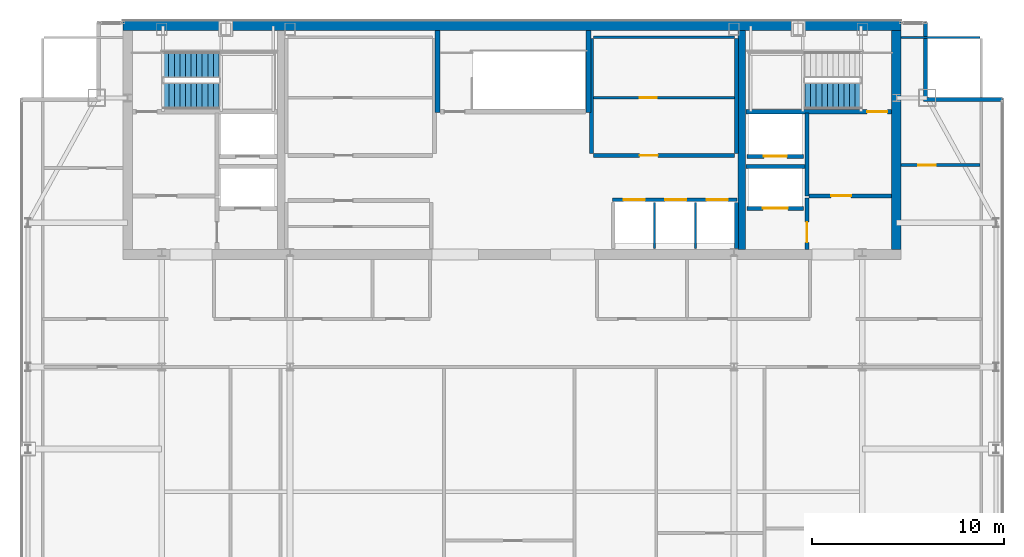
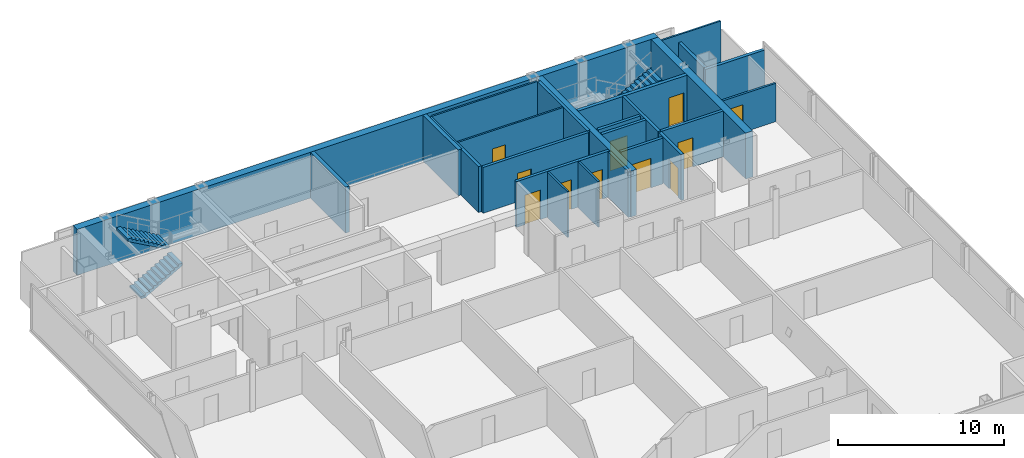
# One storey, part 21 of 24: 25 walls, 11 doors, 3 stair flights, 11 openings, 2 elements without a shape of their own.
"""IFC4 building model written with IfcOpenShell, lengths in metres."""

from ifc_helpers import new_model, si_unit, direction, frame, frame_2d, origin, place, context, subcontext, project, spatial, polyline, rectangle, outline, extrude, material, layer, layer_set, type_object, element, fill, aggregate, save


model = new_model("IFC4")

# Units and contexts
model_context = context("Model", 3, precision=1e-05, world=origin(), true_north=direction((0.0, 1.0)))
body_context = subcontext(model_context, "Body", "Model", "MODEL_VIEW")
ifc_project = project(units=[si_unit("LENGTHUNIT", "METRE"), si_unit("AREAUNIT", "SQUARE_METRE"), si_unit("VOLUMEUNIT", "CUBIC_METRE"), si_unit("PLANEANGLEUNIT", "RADIAN"), si_unit("MASSUNIT", "GRAM", prefix="KILO")], contexts=[model_context])

# Site, building, storey
site_placement = place(None, origin())
site = spatial("IfcSite", under=ifc_project, at=site_placement, CompositionType="ELEMENT")
building_placement = place(site_placement, origin())
building = spatial("IfcBuilding", under=site, at=building_placement, Name="Khoronbel Lancet Exchange", CompositionType="ELEMENT")
storey_placement = place(building_placement, frame((0.0, 0.0, 347.0)))
storey = spatial("IfcBuildingStorey", under=building, at=storey_placement, Name="L90", CompositionType="ELEMENT", Elevation=347.0)

# Walls
ifc_material_1 = material(Name="Concrete C60/75", Category="concrete")
ifc_layer_1 = layer(ifc_material_1, 0.5, Name="Concrete C60/75")
ifc_layer_set_1 = layer_set([ifc_layer_1], Name="Concrete C60/75")
wall_type_1 = type_object("IfcWallType", Name="WL-CW4", PredefinedType="SHEAR", material=ifc_layer_set_1)
wall_1_placement = place(storey_placement, frame((16.199951171875, 53.449951171875, 0.0), z_axis=(0.0, 0.0, 1.0), x_axis=(1.0, 0.0, 0.0)))
element("IfcWall", 1, at=wall_1_placement, inside=storey, type_object=wall_type_1, Name="Level L90 rear core north shear wall", PredefinedType="SHEAR", context=body_context, shape_type="SweptSolid", body=[
    extrude(rectangle(XDim=40.5, YDim=0.5, at=frame_2d((20.25, 0.0))), origin(), (0.0, 0.0, 1.0), 3.3798828125),
])
wall_2_placement = place(storey_placement, frame((56.449951171875, 53.199951171875, 0.0), z_axis=(0.0, 0.0, 1.0), x_axis=(0.0, -1.0, 0.0)))
element("IfcWall", 2, at=wall_2_placement, inside=storey, type_object=wall_type_1, Name="Level L90 rear core east shear wall", PredefinedType="SHEAR", context=body_context, shape_type="SweptSolid", body=[
    extrude(rectangle(XDim=11.39990234375, YDim=0.5, at=frame_2d((5.699951171875, 0.0))), origin(), (0.0, 0.0, 1.0), 3.3798828125),
])
ifc_material_2 = material(Name="Precast concrete C40/50", Category="concrete")
ifc_layer_2 = layer(ifc_material_2, 0.25, Name="Precast concrete C40/50")
ifc_layer_set_2 = layer_set([ifc_layer_2], Name="Precast concrete C40/50")
wall_type_2 = type_object("IfcWallType", Name="WL-EXT250", PredefinedType="SOLIDWALL", material=ifc_layer_set_2)
wall_3_placement = place(storey_placement, frame((57.9599609375, 53.6298828125, 0.0), z_axis=(0.0, 0.0, 1.0), x_axis=(0.0, -1.0, 0.0)))
element("IfcWall", 3, at=wall_3_placement, inside=storey, type_object=wall_type_2, Name="Level L90 notched-corner limestone pier 07", PredefinedType="SOLIDWALL", context=body_context, shape_type="SweptSolid", body=[
    extrude(rectangle(XDim=3.909912109375, YDim=0.219970703125, at=frame_2d((1.955078125, 0.0))), origin(), (0.0, 0.0, 1.0), 2.820068359375),
])
wall_4_placement = place(storey_placement, frame((57.85009765625, 49.610107421875, 0.0), z_axis=(0.0, 0.0, 1.0), x_axis=(1.0, 0.0, 0.0)))
element("IfcWall", 4, at=wall_4_placement, inside=storey, type_object=wall_type_2, Name="Level L90 notched-corner limestone pier 08", PredefinedType="SOLIDWALL", context=body_context, shape_type="SweptSolid", body=[
    extrude(rectangle(XDim=4.1298828125, YDim=0.219970703125, at=frame_2d((2.06494140625, 0.0))), origin(), (0.0, 0.0, 1.0), 2.820068359375),
])

# Wall, opening, door
ifc_material_3 = material(Name="Acoustic Metal-Stud & Mineral-Wool Gypsum Partition 120 mm", Category="gypsum")
ifc_layer_3 = layer(ifc_material_3, 0.1201171875, Name="Acoustic Metal-Stud & Mineral-Wool Gypsum Partition 120 mm")
ifc_layer_set_3 = layer_set([ifc_layer_3], Name="Acoustic Metal-Stud & Mineral-Wool Gypsum Partition 120 mm")
wall_type_3 = type_object("IfcWallType", Name="WL-PRT120", PredefinedType="PARTITIONING", material=ifc_layer_set_3)
wall_5_placement = place(storey_placement, frame((56.699951171875, 46.199951171875, 0.0), z_axis=(0.0, 0.0, 1.0), x_axis=(1.0, 0.0, 0.0)))
wall_5 = element("IfcWall", 5, at=wall_5_placement, inside=storey, type_object=wall_type_3, Name="Level L90 interior partition PW-NE-H", PredefinedType="PARTITIONING", context=body_context, shape_type="SweptSolid", body=[
    extrude(rectangle(XDim=4.10498046875, YDim=0.14990234375, at=frame_2d((2.052490234375, 0.0))), origin(), (0.0, 0.0, 1.0), 2.820068359375),
])
opening_1_placement = place(wall_5_placement, frame((0.89990234375, 0.0, 0.0)))
opening_1 = element("IfcOpeningElement", 6, at=opening_1_placement, cuts=wall_5, Name="Opening D5", PredefinedType="OPENING", context=body_context, shape_type="SweptSolid", body=[
    extrude(rectangle(XDim=0.89990234375, YDim=2.050048828125, at=frame_2d((0.449951171875, 1.02490234375))), frame((0.0, 0.0849609375, 0.0), z_axis=(0.0, -1.0, 0.0), x_axis=(1.0, 0.0, 0.0)), (0.0, 0.0, 1.0), 0.169921875),
])
ifc_material_4 = material(Name="Acoustic Timber Pantry & Support Door", Category="wood")
door_type_1 = type_object("IfcDoorType", Name="DR-D5", OperationType="NOTDEFINED", PredefinedType="DOOR", material=ifc_material_4)
door_1_placement = place(opening_1_placement, origin())
door_1 = element("IfcDoor", 7, at=door_1_placement, inside=storey, type_object=door_type_1, Name="NE north room door L90-1", OperationType="SINGLE_SWING_RIGHT", OverallHeight=2.050048828125, OverallWidth=0.89990234375, PredefinedType="DOOR", context=body_context, shape_type="SweptSolid", body=[
    extrude(rectangle(XDim=0.89990234375, YDim=2.050048828125, at=frame_2d((0.449951171875, 1.02490234375))), frame((0.0, 0.02490234375, 0.0), z_axis=(0.0, -1.0, 0.0), x_axis=(1.0, 0.0, 0.0)), (0.0, 0.0, 1.0), 0.050048828125),
])
fill(opening_1, door_1)

# Walls
wall_6_placement = place(storey_placement, frame((56.699951171875, 52.840087890625, 0.0), z_axis=(0.0, 0.0, 1.0), x_axis=(1.0, 0.0, 0.0)))
element("IfcWall", 8, at=wall_6_placement, inside=storey, type_object=wall_type_3, Name="Level L90 interior partition PW-LIN-NE", PredefinedType="PARTITIONING", context=body_context, shape_type="SweptSolid", body=[
    extrude(rectangle(XDim=4.10498046875, YDim=0.1201171875, at=frame_2d((2.052490234375, 0.0))), origin(), (0.0, 0.0, 1.0), 3.3798828125),
])
ifc_material_5 = material(Name="Fire-Rated Metal-Stud & Mineral-Wool Gypsum Partition 120 mm", Category="gypsum")
ifc_layer_4 = layer(ifc_material_5, 0.1201171875, Name="Fire-Rated Metal-Stud & Mineral-Wool Gypsum Partition 120 mm")
ifc_layer_set_4 = layer_set([ifc_layer_4], Name="Fire-Rated Metal-Stud & Mineral-Wool Gypsum Partition 120 mm")
wall_type_4 = type_object("IfcWallType", Name="WL-PRT120F", PredefinedType="PARTITIONING", material=ifc_layer_set_4)
wall_7_placement = place(storey_placement, frame((40.68505859375, 52.860107421875, 0.0), z_axis=(0.0, 0.0, 1.0), x_axis=(1.0, 0.0, 0.0)))
element("IfcWall", 9, at=wall_7_placement, inside=storey, type_object=wall_type_4, Name="Level L90 interior partition CW-PH-RN", PredefinedType="PARTITIONING", context=body_context, shape_type="SweptSolid", body=[
    extrude(rectangle(XDim=7.349853515625, YDim=0.1201171875, at=frame_2d((3.6748046875, 0.0))), origin(), (0.0, 0.0, 1.0), 3.3798828125),
])

# Wall, opening, door
wall_8_placement = place(storey_placement, frame((40.68505859375, 49.708740234375, 0.0), z_axis=(0.0, 0.0, 1.0), x_axis=(1.0, 0.0, 0.0)))
wall_8 = element("IfcWall", 10, at=wall_8_placement, inside=storey, type_object=wall_type_4, Name="Level L90 interior partition CW-PH-RH", PredefinedType="PARTITIONING", context=body_context, shape_type="SweptSolid", body=[
    extrude(rectangle(XDim=7.349853515625, YDim=0.1201171875, at=frame_2d((3.6748046875, 0.0))), origin(), (0.0, 0.0, 1.0), 3.3798828125),
])
opening_2_placement = place(wall_8_placement, frame((2.39990234375, 0.0, 0.0)))
opening_2 = element("IfcOpeningElement", 11, at=opening_2_placement, cuts=wall_8, Name="Opening FD4", PredefinedType="OPENING", context=body_context, shape_type="SweptSolid", body=[
    extrude(rectangle(XDim=0.89990234375, YDim=2.050048828125, at=frame_2d((0.449951171875, 1.02490234375))), frame((0.0, 0.070068359375, 0.0), z_axis=(0.0, -1.0, 0.0), x_axis=(1.0, 0.0, 0.0)), (0.0, 0.0, 1.0), 0.14013671875),
])
ifc_material_6 = material(Name="Fire-Rated Steel Core Support Door Assembly", Category="steel")
door_type_2 = type_object("IfcDoorType", Name="DR-FD4", OperationType="NOTDEFINED", PredefinedType="DOOR", material=ifc_material_6)
door_2_placement = place(opening_2_placement, origin())
door_2 = element("IfcDoor", 12, at=door_2_placement, inside=storey, type_object=door_type_2, Name="Core PH inner store door L90-1", OperationType="SINGLE_SWING_RIGHT", OverallHeight=2.050048828125, OverallWidth=0.89990234375, PredefinedType="DOOR", context=body_context, shape_type="SweptSolid", body=[
    extrude(rectangle(XDim=0.89990234375, YDim=2.050048828125, at=frame_2d((0.449951171875, 1.02490234375))), frame((0.0, 0.02490234375, 0.0), z_axis=(0.0, -1.0, 0.0), x_axis=(1.0, 0.0, 0.0)), (0.0, 0.0, 1.0), 0.050048828125),
])
fill(opening_2, door_2)

# Walls
for number, where, z_axis, x_axis, name in (
    (13, (43.860107421875, 41.85009765625, 0.0), (0.0, 0.0, 1.0), (0.0, 1.0, 0.0), "Level L90 interior partition CW-PX-D1"),
    (14, (46.0, 41.85009765625, 0.0), (0.0, 0.0, 1.0), (0.0, 1.0, 0.0), "Level L90 interior partition CW-PX-D2"),
):
    element("IfcWall", number, at=place(storey_placement, frame(where, z_axis=z_axis, x_axis=x_axis)), inside=storey, type_object=wall_type_4, Name=name, PredefinedType="PARTITIONING", context=body_context, shape_type="SweptSolid", body=[
        extrude(rectangle(XDim=2.39990234375, YDim=0.1201171875, at=frame_2d((1.199951171875, 0.0))), origin(), (0.0, 0.0, 1.0), 3.3798828125),
    ])

# Wall, openings, doors
ifc_material_7 = material(Name="Autoclaved Aerated Concrete Blockwork 200 mm", Category="masonry")
ifc_layer_5 = layer(ifc_material_7, 0.199951171875, Name="Autoclaved Aerated Concrete Blockwork 200 mm")
ifc_layer_set_5 = layer_set([ifc_layer_5], Name="Autoclaved Aerated Concrete Blockwork 200 mm")
wall_type_5 = type_object("IfcWallType", Name="WL-PRT200", PredefinedType="PARTITIONING", material=ifc_layer_set_5)
wall_9_placement = place(storey_placement, frame((41.679931640625, 44.39990234375, 0.0), z_axis=(0.0, 0.0, 1.0), x_axis=(1.0, 0.0, 0.0)))
wall_9 = element("IfcWall", 15, at=wall_9_placement, inside=storey, type_object=wall_type_5, Name="Level L90 elevator hoistway landing front wall PXE", PredefinedType="PARTITIONING", context=body_context, shape_type="SweptSolid", body=[
    extrude(rectangle(XDim=6.47998046875, YDim=0.199951171875, at=frame_2d((3.239990234375, 0.0))), origin(), (0.0, 0.0, 1.0), 3.3798828125),
])
opening_3_placement = place(wall_9_placement, frame((0.580078125, 0.0, 0.0)))
opening_3 = element("IfcOpeningElement", 16, at=opening_3_placement, cuts=wall_9, Name="Opening LD-PX1", PredefinedType="OPENING", context=body_context, shape_type="SweptSolid", body=[
    extrude(rectangle(XDim=1.10009765625, YDim=2.179931640625, at=frame_2d((0.550048828125, 1.08984375))), frame((0.0, 0.10986328125, 0.0), z_axis=(0.0, -1.0, 0.0), x_axis=(1.0, 0.0, 0.0)), (0.0, 0.0, 1.0), 0.219970703125),
])
opening_4_placement = place(wall_9_placement, frame((2.739990234375, 0.0, 0.0)))
opening_4 = element("IfcOpeningElement", 17, at=opening_4_placement, cuts=wall_9, Name="Opening LD-PX2", PredefinedType="OPENING", context=body_context, shape_type="SweptSolid", body=[
    extrude(rectangle(XDim=1.10009765625, YDim=2.179931640625, at=frame_2d((0.550048828125, 1.08984375))), frame((0.0, 0.10986328125, 0.0), z_axis=(0.0, -1.0, 0.0), x_axis=(1.0, 0.0, 0.0)), (0.0, 0.0, 1.0), 0.219970703125),
])
opening_5_placement = place(wall_9_placement, frame((4.89990234375, 0.0, 0.0)))
opening_5 = element("IfcOpeningElement", 18, at=opening_5_placement, cuts=wall_9, Name="Opening LD-PX3", PredefinedType="OPENING", context=body_context, shape_type="SweptSolid", body=[
    extrude(rectangle(XDim=1.10009765625, YDim=2.179931640625, at=frame_2d((0.550048828125, 1.08984375))), frame((0.0, 0.10986328125, 0.0), z_axis=(0.0, -1.0, 0.0), x_axis=(1.0, 0.0, 0.0)), (0.0, 0.0, 1.0), 0.219970703125),
])
ifc_material_8 = material(Name="Brushed Bronze Bi-Parting Elevator Landing Door", Category="steel")
door_type_3 = type_object("IfcDoorType", Name="DR-LD-PAX", OperationType="NOTDEFINED", PredefinedType="DOOR", material=ifc_material_8)
door_3_placement = place(opening_3_placement, origin())
door_3 = element("IfcDoor", 19, at=door_3_placement, inside=storey, type_object=door_type_3, Name="Elevator landing sliding door LD-PX1 L90", OperationType="SLIDING_TO_LEFT", OverallHeight=2.179931640625, OverallWidth=1.10009765625, PredefinedType="DOOR", context=body_context, shape_type="SweptSolid", body=[
    extrude(rectangle(XDim=1.10009765625, YDim=2.179931640625, at=frame_2d((0.550048828125, 1.08984375))), frame((0.0, 0.02490234375, 0.0), z_axis=(0.0, -1.0, 0.0), x_axis=(1.0, 0.0, 0.0)), (0.0, 0.0, 1.0), 0.050048828125),
])
fill(opening_3, door_3)
door_4_placement = place(opening_4_placement, origin())
door_4 = element("IfcDoor", 20, at=door_4_placement, inside=storey, type_object=door_type_3, Name="Elevator landing sliding door LD-PX2 L90", OperationType="SLIDING_TO_LEFT", OverallHeight=2.179931640625, OverallWidth=1.10009765625, PredefinedType="DOOR", context=body_context, shape_type="SweptSolid", body=[
    extrude(rectangle(XDim=1.10009765625, YDim=2.179931640625, at=frame_2d((0.550048828125, 1.08984375))), frame((0.0, 0.02490234375, 0.0), z_axis=(0.0, -1.0, 0.0), x_axis=(1.0, 0.0, 0.0)), (0.0, 0.0, 1.0), 0.050048828125),
])
fill(opening_4, door_4)
door_5_placement = place(opening_5_placement, origin())
door_5 = element("IfcDoor", 21, at=door_5_placement, inside=storey, type_object=door_type_3, Name="Elevator landing sliding door LD-PX3 L90", OperationType="SLIDING_TO_LEFT", OverallHeight=2.179931640625, OverallWidth=1.10009765625, PredefinedType="DOOR", context=body_context, shape_type="SweptSolid", body=[
    extrude(rectangle(XDim=1.10009765625, YDim=2.179931640625, at=frame_2d((0.550048828125, 1.08984375))), frame((0.0, 0.02490234375, 0.0), z_axis=(0.0, -1.0, 0.0), x_axis=(1.0, 0.0, 0.0)), (0.0, 0.0, 1.0), 0.050048828125),
])
fill(opening_5, door_5)

# Wall, opening, door
wall_10_placement = place(storey_placement, frame((51.610107421875, 43.949951171875, 0.0), z_axis=(0.0, 0.0, 1.0), x_axis=(-1.0, 0.0, 0.0)))
wall_10 = element("IfcWall", 22, at=wall_10_placement, inside=storey, type_object=wall_type_5, Name="Level L90 elevator hoistway landing front wall SVLE", PredefinedType="PARTITIONING", context=body_context, shape_type="SweptSolid", body=[
    extrude(rectangle(XDim=2.920166015625, YDim=0.199951171875, at=frame_2d((1.4599609375, 0.0))), origin(), (0.0, 0.0, 1.0), 3.3798828125),
])
opening_6_placement = place(wall_10_placement, frame((0.81005859375, 0.0, 0.0)))
opening_6 = element("IfcOpeningElement", 23, at=opening_6_placement, cuts=wall_10, Name="Opening LD-SVL2", PredefinedType="OPENING", context=body_context, shape_type="SweptSolid", body=[
    extrude(rectangle(XDim=1.300048828125, YDim=2.179931640625, at=frame_2d((0.64990234375, 1.08984375))), frame((0.0, 0.10986328125, 0.0), z_axis=(0.0, -1.0, 0.0), x_axis=(1.0, 0.0, 0.0)), (0.0, 0.0, 1.0), 0.219970703125),
])
ifc_material_9 = material(Name="Heavy-Duty Bi-Parting Goods Lift Landing Door", Category="steel")
door_type_4 = type_object("IfcDoorType", Name="DR-LD-SVL", OperationType="NOTDEFINED", PredefinedType="DOOR", material=ifc_material_9)
door_6_placement = place(opening_6_placement, origin())
door_6 = element("IfcDoor", 24, at=door_6_placement, inside=storey, type_object=door_type_4, Name="Elevator landing sliding door LD-SVL2 L90", OperationType="SLIDING_TO_LEFT", OverallHeight=2.179931640625, OverallWidth=1.300048828125, PredefinedType="DOOR", context=body_context, shape_type="SweptSolid", body=[
    extrude(rectangle(XDim=1.300048828125, YDim=2.179931640625, at=frame_2d((0.64990234375, 1.08984375))), frame((0.0, 0.02490234375, 0.0), z_axis=(0.0, -1.0, 0.0), x_axis=(1.0, 0.0, 0.0)), (0.0, 0.0, 1.0), 0.050048828125),
])
fill(opening_6, door_6)

wall_11_placement = place(storey_placement, frame((51.610107421875, 46.64990234375, 0.0), z_axis=(0.0, 0.0, 1.0), x_axis=(-1.0, 0.0, 0.0)))
wall_11 = element("IfcWall", 25, at=wall_11_placement, inside=storey, type_object=wall_type_5, Name="Level L90 elevator hoistway landing front wall FFLE", PredefinedType="PARTITIONING", context=body_context, shape_type="SweptSolid", body=[
    extrude(rectangle(XDim=2.920166015625, YDim=0.199951171875, at=frame_2d((1.4599609375, 0.0))), origin(), (0.0, 0.0, 1.0), 3.3798828125),
])
opening_7_placement = place(wall_11_placement, frame((0.860107421875, 0.0, 0.0)))
opening_7 = element("IfcOpeningElement", 26, at=opening_7_placement, cuts=wall_11, Name="Opening LD-FFL2", PredefinedType="OPENING", context=body_context, shape_type="SweptSolid", body=[
    extrude(rectangle(XDim=1.199951171875, YDim=2.179931640625, at=frame_2d((0.60009765625, 1.08984375))), frame((0.0, 0.10986328125, 0.0), z_axis=(0.0, -1.0, 0.0), x_axis=(1.0, 0.0, 0.0)), (0.0, 0.0, 1.0), 0.219970703125),
])
ifc_material_10 = material(Name="Fire-Rated Stainless Bi-Parting Firefighting Lift Door", Category="steel")
door_type_5 = type_object("IfcDoorType", Name="DR-LD-FFL", OperationType="NOTDEFINED", PredefinedType="DOOR", material=ifc_material_10)
door_7_placement = place(opening_7_placement, origin())
door_7 = element("IfcDoor", 27, at=door_7_placement, inside=storey, type_object=door_type_5, Name="Elevator landing sliding door LD-FFL2 L90", OperationType="SLIDING_TO_LEFT", OverallHeight=2.179931640625, OverallWidth=1.199951171875, PredefinedType="DOOR", context=body_context, shape_type="SweptSolid", body=[
    extrude(rectangle(XDim=1.199951171875, YDim=2.179931640625, at=frame_2d((0.60009765625, 1.08984375))), frame((0.0, 0.02490234375, 0.0), z_axis=(0.0, -1.0, 0.0), x_axis=(1.0, 0.0, 0.0)), (0.0, 0.0, 1.0), 0.050048828125),
])
fill(opening_7, door_7)

# Wall
wall_12_placement = place(storey_placement, frame((51.800048828125, 44.60009765625, 0.0), z_axis=(0.0, 0.0, 1.0), x_axis=(0.0, 1.0, 0.0)))
element("IfcWall", 28, at=wall_12_placement, inside=storey, type_object=wall_type_5, Name="Level L90 interior partition CW-FFLE-W", PredefinedType="PARTITIONING", context=body_context, shape_type="SweptSolid", body=[
    extrude(rectangle(XDim=4.2998046875, YDim=0.199951171875, at=frame_2d((2.14990234375, 0.0))), origin(), (0.0, 0.0, 1.0), 3.3798828125),
])

# Wall, opening, door
wall_13_placement = place(storey_placement, frame((51.89990234375, 44.60009765625, 0.0), z_axis=(0.0, 0.0, 1.0), x_axis=(1.0, 0.0, 0.0)))
wall_13 = element("IfcWall", 29, at=wall_13_placement, inside=storey, type_object=wall_type_5, Name="Level L90 interior partition CW-FFLE-S", PredefinedType="PARTITIONING", context=body_context, shape_type="SweptSolid", body=[
    extrude(rectangle(XDim=4.300048828125, YDim=0.199951171875, at=frame_2d((2.14990234375, 0.0))), origin(), (0.0, 0.0, 1.0), 3.3798828125),
])
opening_8_placement = place(wall_13_placement, frame((1.14990234375, 0.0, 0.0)))
opening_8 = element("IfcOpeningElement", 30, at=opening_8_placement, cuts=wall_13, Name="Opening FD1", PredefinedType="OPENING", context=body_context, shape_type="SweptSolid", body=[
    extrude(rectangle(XDim=1.050048828125, YDim=2.14990234375, at=frame_2d((0.52490234375, 1.074951171875))), frame((0.0, 0.10986328125, 0.0), z_axis=(0.0, -1.0, 0.0), x_axis=(1.0, 0.0, 0.0)), (0.0, 0.0, 1.0), 0.219970703125),
])
ifc_material_11 = material(Name="Fire-Rated Painted Steel Door Assembly", Category="steel")
door_type_6 = type_object("IfcDoorType", Name="DR-FD1", OperationType="NOTDEFINED", PredefinedType="DOOR", material=ifc_material_11)
door_8_placement = place(opening_8_placement, origin())
door_8 = element("IfcDoor", 31, at=door_8_placement, inside=storey, type_object=door_type_6, Name="East firefighting lobby FD90S door L90-1", OperationType="SINGLE_SWING_RIGHT", OverallHeight=2.14990234375, OverallWidth=1.050048828125, PredefinedType="DOOR", context=body_context, shape_type="SweptSolid", body=[
    extrude(rectangle(XDim=1.050048828125, YDim=2.14990234375, at=frame_2d((0.52490234375, 1.074951171875))), frame((0.0, 0.02490234375, 0.0), z_axis=(0.0, -1.0, 0.0), x_axis=(1.0, 0.0, 0.0)), (0.0, 0.0, 1.0), 0.050048828125),
])
fill(opening_8, door_8)

# Wall
wall_14_placement = place(storey_placement, frame((48.6298828125, 46.1201171875, 0.0), z_axis=(0.0, 0.0, 1.0), x_axis=(1.0, 0.0, 0.0)))
element("IfcWall", 32, at=wall_14_placement, inside=storey, type_object=wall_type_5, Name="Level L90 interior partition CW-FFL2-S", PredefinedType="PARTITIONING", context=body_context, shape_type="SweptSolid", body=[
    extrude(rectangle(XDim=3.070068359375, YDim=0.199951171875, at=frame_2d((1.53515625, 0.0))), origin(), (0.0, 0.0, 1.0), 3.3798828125),
])

# Wall, opening, door
wall_15_placement = place(storey_placement, frame((51.800048828125, 41.800048828125, 0.0), z_axis=(0.0, 0.0, 1.0), x_axis=(0.0, 1.0, 0.0)))
wall_15 = element("IfcWall", 33, at=wall_15_placement, inside=storey, type_object=wall_type_5, Name="Level L90 interior partition CW-SVLE-E", PredefinedType="PARTITIONING", context=body_context, shape_type="SweptSolid", body=[
    extrude(rectangle(XDim=2.695068359375, YDim=0.199951171875, at=frame_2d((1.34765625, 0.0))), origin(), (0.0, 0.0, 1.0), 3.3798828125),
])
opening_9_placement = place(wall_15_placement, frame((0.3798828125, 0.0, 0.0)))
opening_9 = element("IfcOpeningElement", 34, at=opening_9_placement, cuts=wall_15, Name="Opening FD1", PredefinedType="OPENING", context=body_context, shape_type="SweptSolid", body=[
    extrude(rectangle(XDim=1.050048828125, YDim=2.14990234375, at=frame_2d((0.52490234375, 1.074951171875))), frame((0.0, 0.10986328125, 0.0), z_axis=(0.0, -1.0, 0.0), x_axis=(1.0, 0.0, 0.0)), (0.0, 0.0, 1.0), 0.219970703125),
])
door_9_placement = place(opening_9_placement, origin())
door_9 = element("IfcDoor", 35, at=door_9_placement, inside=storey, type_object=door_type_6, Name="East service lift lobby door L90-1", OperationType="SINGLE_SWING_LEFT", OverallHeight=2.14990234375, OverallWidth=1.050048828125, PredefinedType="DOOR", context=body_context, shape_type="SweptSolid", body=[
    extrude(rectangle(XDim=1.050048828125, YDim=2.14990234375, at=frame_2d((0.52490234375, 1.074951171875))), frame((0.0, 0.02490234375, 0.0), z_axis=(0.0, -1.0, 0.0), x_axis=(1.0, 0.0, 0.0)), (0.0, 0.0, 1.0), 0.050048828125),
])
fill(opening_9, door_9)

# Walls
for number, where, z_axis, x_axis, name in (
    (36, (40.580078125, 46.804931640625, 0.0), (0.0, 0.0, 1.0), (0.0, 1.0, 0.0), "Level L90 interior partition CW-PH-RW"),
    (37, (48.139892578125, 46.804931640625, 0.0), (0.0, 0.0, 1.0), (0.0, 1.0, 0.0), "Level L90 interior partition CW-PH-RE"),
):
    element("IfcWall", number, at=place(storey_placement, frame(where, z_axis=z_axis, x_axis=x_axis)), inside=storey, type_object=wall_type_5, Name=name, PredefinedType="PARTITIONING", context=body_context, shape_type="SweptSolid", body=[
        extrude(rectangle(XDim=5.989990234375, YDim=0.199951171875, at=frame_2d((2.9951171875, 0.0))), origin(), (0.0, 0.0, 1.0), 3.3798828125),
    ])

# Wall, opening, door
wall_16_placement = place(storey_placement, frame((40.68505859375, 46.699951171875, 0.0), z_axis=(0.0, 0.0, 1.0), x_axis=(1.0, 0.0, 0.0)))
wall_16 = element("IfcWall", 38, at=wall_16_placement, inside=storey, type_object=wall_type_5, Name="Level L90 interior partition CW-PH-RF", PredefinedType="PARTITIONING", context=body_context, shape_type="SweptSolid", body=[
    extrude(rectangle(XDim=7.349853515625, YDim=0.199951171875, at=frame_2d((3.6748046875, 0.0))), origin(), (0.0, 0.0, 1.0), 3.3798828125),
])
opening_10_placement = place(wall_16_placement, frame((2.39990234375, 0.0, 0.0)))
opening_10 = element("IfcOpeningElement", 39, at=opening_10_placement, cuts=wall_16, Name="Opening FD3", PredefinedType="OPENING", context=body_context, shape_type="SweptSolid", body=[
    extrude(rectangle(XDim=0.949951171875, YDim=2.10009765625, at=frame_2d((0.47509765625, 1.050048828125))), frame((0.0, 0.10986328125, 0.0), z_axis=(0.0, -1.0, 0.0), x_axis=(1.0, 0.0, 0.0)), (0.0, 0.0, 1.0), 0.219970703125),
])
ifc_material_12 = material(Name="Fire-Rated Steel Plant & Riser Door Assembly", Category="steel")
door_type_7 = type_object("IfcDoorType", Name="DR-FD3", OperationType="NOTDEFINED", PredefinedType="DOOR", material=ifc_material_12)
door_10_placement = place(opening_10_placement, origin())
door_10 = element("IfcDoor", 40, at=door_10_placement, inside=storey, type_object=door_type_7, Name="Core PH merged gallery room door L90-1", OperationType="SINGLE_SWING_LEFT", OverallHeight=2.10009765625, OverallWidth=0.949951171875, PredefinedType="DOOR", context=body_context, shape_type="SweptSolid", body=[
    extrude(rectangle(XDim=0.949951171875, YDim=2.10009765625, at=frame_2d((0.47509765625, 1.050048828125))), frame((0.0, 0.02490234375, 0.0), z_axis=(0.0, -1.0, 0.0), x_axis=(1.0, 0.0, 0.0)), (0.0, 0.0, 1.0), 0.050048828125),
])
fill(opening_10, door_10)

# Walls
wall_17_placement = place(storey_placement, frame((48.139892578125, 41.85009765625, 0.0), z_axis=(0.0, 0.0, 1.0), x_axis=(0.0, 1.0, 0.0)))
element("IfcWall", 41, at=wall_17_placement, inside=storey, type_object=wall_type_5, Name="Level L90 interior partition CW-PX-E", PredefinedType="PARTITIONING", context=body_context, shape_type="SweptSolid", body=[
    extrude(rectangle(XDim=2.39990234375, YDim=0.199951171875, at=frame_2d((1.199951171875, 0.0))), origin(), (0.0, 0.0, 1.0), 3.3798828125),
])
ifc_layer_6 = layer(ifc_material_1, 0.39990234375, Name="Concrete C60/75")
ifc_layer_set_6 = layer_set([ifc_layer_6], Name="Concrete C60/75")
wall_type_6 = type_object("IfcWallType", Name="WL-SW2", PredefinedType="SHEAR", material=ifc_layer_set_6)
wall_18_placement = place(storey_placement, frame((48.39990234375, 41.800048828125, 0.0), z_axis=(0.0, 0.0, 1.0), x_axis=(0.0, 1.0, 0.0)))
element("IfcWall", 42, at=wall_18_placement, inside=storey, type_object=wall_type_6, Name="Level L90 rear core internal spine shear wall IE", PredefinedType="SHEAR", context=body_context, shape_type="SweptSolid", body=[
    extrude(rectangle(XDim=11.39990234375, YDim=0.39990234375, at=frame_2d((5.699951171875, 0.0))), origin(), (0.0, 0.0, 1.0), 3.3798828125),
])
ifc_layer_7 = layer(ifc_material_1, 0.260009765625, Name="Concrete C60/75")
ifc_layer_set_7 = layer_set([ifc_layer_7], Name="Concrete C60/75")
wall_type_7 = type_object("IfcWallType", Name="WL-SW3", PredefinedType="SHEAR", material=ifc_layer_set_7)
for number, where, z_axis, x_axis, name in (
    (43, (32.580078125, 48.949951171875, 0.0), (0.0, 0.0, 1.0), (0.0, 1.0, 0.0), "Level L90 central stairwell structural shear wall ST3W"),
    (44, (40.419921875, 48.949951171875, 0.0), (0.0, 0.0, 1.0), (0.0, 1.0, 0.0), "Level L90 central stairwell structural shear wall ST3E"),
):
    element("IfcWall", number, at=place(storey_placement, frame(where, z_axis=z_axis, x_axis=x_axis)), inside=storey, type_object=wall_type_7, Name=name, PredefinedType="SHEAR", context=body_context, shape_type="SweptSolid", body=[
        extrude(rectangle(XDim=4.25, YDim=0.260009765625, at=frame_2d((2.125, 0.0))), origin(), (0.0, 0.0, 1.0), 3.3798828125),
    ])

# Wall, opening, door
wall_19_placement = place(storey_placement, frame((48.6298828125, 48.97998046875, 0.0), z_axis=(0.0, 0.0, 1.0), x_axis=(1.0, 0.0, 0.0)))
wall_19 = element("IfcWall", 45, at=wall_19_placement, inside=storey, type_object=wall_type_7, Name="Level L90 east stairwell structural south wall", PredefinedType="SHEAR", context=body_context, shape_type="SweptSolid", body=[
    extrude(rectangle(XDim=7.570068359375, YDim=0.239990234375, at=frame_2d((3.78515625, 0.0))), origin(), (0.0, 0.0, 1.0), 3.3798828125),
])
opening_11_placement = place(wall_19_placement, frame((6.300048828125, 0.0, 0.0)))
opening_11 = element("IfcOpeningElement", 46, at=opening_11_placement, cuts=wall_19, Name="Opening SD1", PredefinedType="OPENING", context=body_context, shape_type="SweptSolid", body=[
    extrude(rectangle(XDim=1.050048828125, YDim=2.14990234375, at=frame_2d((0.52490234375, 1.074951171875))), frame((0.0, 0.1298828125, 0.0), z_axis=(0.0, -1.0, 0.0), x_axis=(1.0, 0.0, 0.0)), (0.0, 0.0, 1.0), 0.260009765625),
])
ifc_material_13 = material(Name="Fire-Rated Steel Stairwell Door Assembly", Category="steel")
door_type_8 = type_object("IfcDoorType", Name="DR-SD1", OperationType="NOTDEFINED", PredefinedType="DOOR", material=ifc_material_13)
door_11_placement = place(opening_11_placement, origin())
door_11 = element("IfcDoor", 47, at=door_11_placement, inside=storey, type_object=door_type_8, Name="Protected exit stair ST2 door L90", OperationType="SINGLE_SWING_RIGHT", OverallHeight=2.14990234375, OverallWidth=1.050048828125, PredefinedType="DOOR", context=body_context, shape_type="SweptSolid", body=[
    extrude(rectangle(XDim=1.050048828125, YDim=2.14990234375, at=frame_2d((0.52490234375, 1.074951171875))), frame((0.0, 0.02490234375, 0.0), z_axis=(0.0, -1.0, 0.0), x_axis=(1.0, 0.0, 0.0)), (0.0, 0.0, 1.0), 0.050048828125),
])
fill(opening_11, door_11)

# Stair, stair flights
ifc_material_14 = material(Name="Concrete C40/50", Category="concrete")
stair_type = type_object("IfcStairType", Name="STR-CORE150", PredefinedType="HALF_TURN_STAIR", material=ifc_material_14)
stair_1_placement = place(storey_placement, origin())
stair_1 = element("IfcStair", 48, at=stair_1_placement, inside=storey, type_object=stair_type, Name="L90 Protected Exit Stair ST1", PredefinedType="HALF_TURN_STAIR")
stair_flight_type = type_object("IfcStairFlightType", Name="STF-150", PredefinedType="STRAIGHT", material=ifc_material_14)
stair_flight_1_placement = place(storey_placement, frame((18.300048828125, 49.81005859375, 0.0), z_axis=(0.0, 0.0, 1.0), x_axis=(1.0, 0.0, 0.0)))
stair_flight_1 = element("IfcStairFlight", 49, at=stair_flight_1_placement, type_object=stair_flight_type, Name="ST1 flight 1", NumberOfRisers=11, NumberOfTreads=10, PredefinedType="STRAIGHT", RiserHeight=0.163636364, TreadLength=0.29, context=body_context, shape_type="SweptSolid", body=[
    extrude(outline(polyline([(0.0, 0.0), (0.0, 0.16357421875), (0.2900390625, 0.16357421875), (0.2900390625, 0.327392578125), (0.580078125, 0.327392578125), (0.580078125, 0.490966796875), (0.8701171875, 0.490966796875), (0.8701171875, 0.654541015625), (1.159912109375, 0.654541015625), (1.159912109375, 0.818115234375), (1.449951171875, 0.818115234375), (1.449951171875, 0.98193359375), (1.739990234375, 0.98193359375), (1.739990234375, 1.1455078125), (2.030029296875, 1.1455078125), (2.030029296875, 1.30908203125), (2.320068359375, 1.30908203125), (2.320068359375, 1.47265625), (2.610107421875, 1.47265625), (2.610107421875, 1.636474609375), (2.89990234375, 1.636474609375), (2.89990234375, 1.800048828125), (2.89990234375, 1.46435546875), (0.304931640625, 0.0), (0.0, 0.0)])), frame((0.0, 0.68994140625, 0.0), z_axis=(0.0, -1.0, 0.0), x_axis=(1.0, 0.0, 0.0)), (0.0, 0.0, 1.0), 1.3798828125),
])
stair_flight_2_placement = place(storey_placement, frame((21.199951171875, 51.409912109375, 1.800048828125), z_axis=(0.0, 0.0, 1.0), x_axis=(-1.0, 0.0, 0.0)))
stair_flight_2 = element("IfcStairFlight", 50, at=stair_flight_2_placement, type_object=stair_flight_type, Name="ST1 flight 2", NumberOfRisers=11, NumberOfTreads=10, PredefinedType="STRAIGHT", RiserHeight=0.163636364, TreadLength=0.29, context=body_context, shape_type="SweptSolid", body=[
    extrude(outline(polyline([(0.0, 0.0), (0.0, 0.16357421875), (0.2900390625, 0.16357421875), (0.2900390625, 0.327392578125), (0.580078125, 0.327392578125), (0.580078125, 0.490966796875), (0.8701171875, 0.490966796875), (0.8701171875, 0.654541015625), (1.159912109375, 0.654541015625), (1.159912109375, 0.818115234375), (1.449951171875, 0.818115234375), (1.449951171875, 0.98193359375), (1.739990234375, 0.98193359375), (1.739990234375, 1.1455078125), (2.030029296875, 1.1455078125), (2.030029296875, 1.30908203125), (2.320068359375, 1.30908203125), (2.320068359375, 1.47265625), (2.610107421875, 1.47265625), (2.610107421875, 1.636474609375), (2.89990234375, 1.636474609375), (2.89990234375, 1.800048828125), (2.89990234375, 1.46435546875), (0.304931640625, 0.0), (0.0, 0.0)])), frame((0.0, 0.68994140625, 0.0), z_axis=(0.0, -1.0, 0.0), x_axis=(1.0, 0.0, 0.0)), (0.0, 0.0, 1.0), 1.3798828125),
])
aggregate(stair_1, [stair_flight_1, stair_flight_2])

# Stair, stair flight
stair_2_placement = place(storey_placement, origin())
stair_2 = element("IfcStair", 51, at=stair_2_placement, inside=storey, type_object=stair_type, Name="L90 Protected Exit Stair ST2", PredefinedType="HALF_TURN_STAIR")
stair_flight_3_placement = place(storey_placement, frame((51.699951171875, 49.81005859375, 1.800048828125), z_axis=(0.0, 0.0, 1.0), x_axis=(1.0, 0.0, 0.0)))
stair_flight_3 = element("IfcStairFlight", 52, at=stair_flight_3_placement, type_object=stair_flight_type, Name="ST2 flight 2", NumberOfRisers=11, NumberOfTreads=10, PredefinedType="STRAIGHT", RiserHeight=0.163636364, TreadLength=0.29, context=body_context, shape_type="SweptSolid", body=[
    extrude(outline(polyline([(0.0, 0.0), (0.0, 0.16357421875), (0.2900390625, 0.16357421875), (0.2900390625, 0.327392578125), (0.580078125, 0.327392578125), (0.580078125, 0.490966796875), (0.8701171875, 0.490966796875), (0.8701171875, 0.654541015625), (1.159912109375, 0.654541015625), (1.159912109375, 0.818115234375), (1.449951171875, 0.818115234375), (1.449951171875, 0.98193359375), (1.739990234375, 0.98193359375), (1.739990234375, 1.1455078125), (2.030029296875, 1.1455078125), (2.030029296875, 1.30908203125), (2.320068359375, 1.30908203125), (2.320068359375, 1.47265625), (2.610107421875, 1.47265625), (2.610107421875, 1.636474609375), (2.89990234375, 1.636474609375), (2.89990234375, 1.800048828125), (2.89990234375, 1.46435546875), (0.304931640625, 0.0), (0.0, 0.0)])), frame((0.0, 0.68994140625, 0.0), z_axis=(0.0, -1.0, 0.0), x_axis=(1.0, 0.0, 0.0)), (0.0, 0.0, 1.0), 1.3798828125),
])
aggregate(stair_2, [stair_flight_3])

save(model, "model.ifc")
